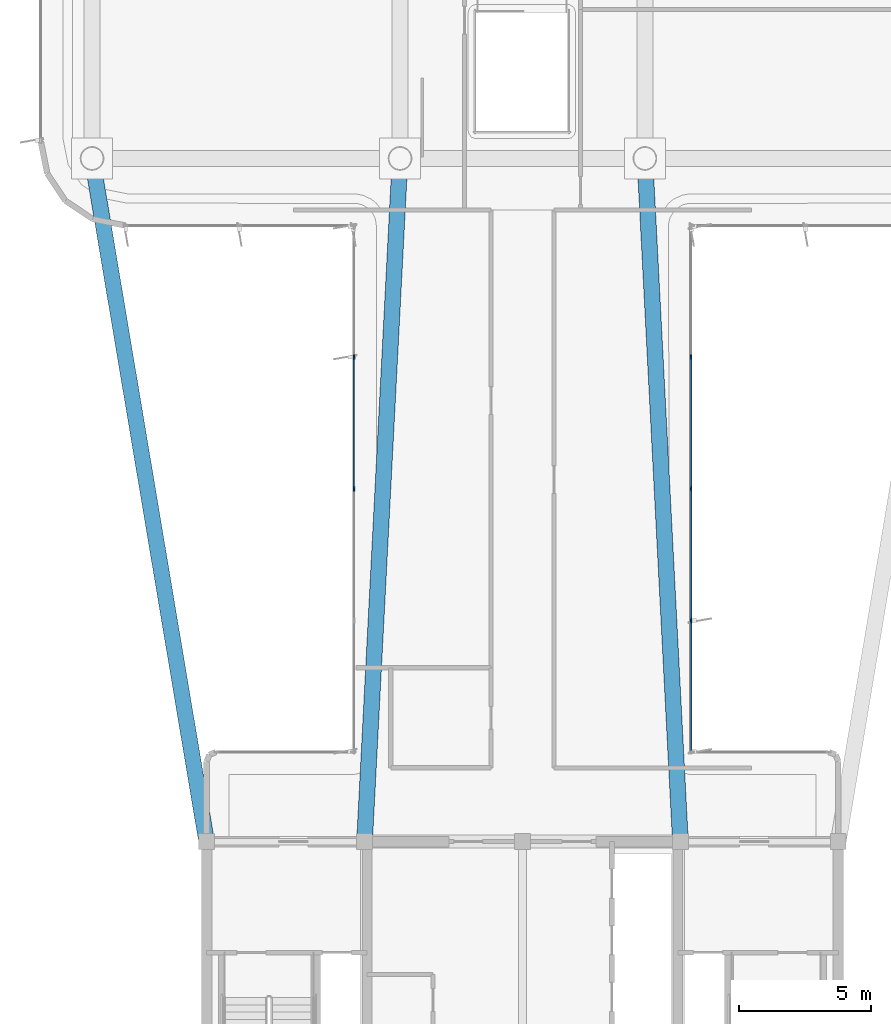
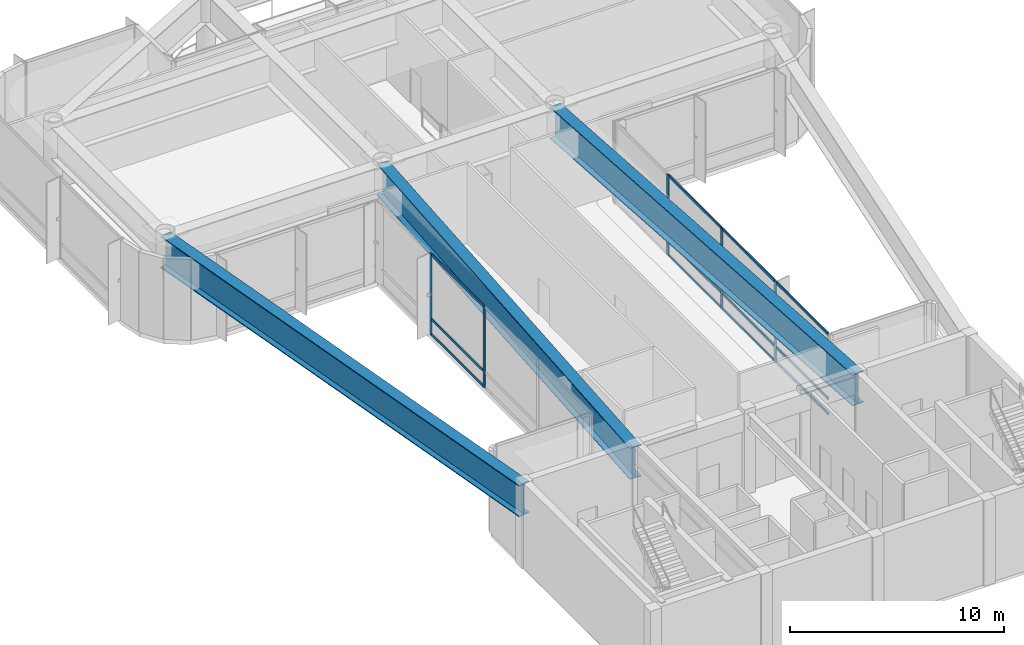
# One storey, part 3 of 13: 17 members, 3 beams, 2 elements without a shape of their own.
"""IFC4 building model written with IfcOpenShell, lengths in metres."""

from ifc_helpers import new_model, si_unit, direction, frame, origin, origin_2d, place, context, subcontext, project, spatial, rectangle, i_section, extrude, source, transform, mapped, material, layer, layer_set, material_profile, profile_set, type_object, element, aggregate, save


model = new_model("IFC4")

# Units and contexts
model_context = context("Model", 3, precision=1e-05, world=origin(), true_north=direction((0.0, 1.0)))
body_context = subcontext(model_context, "Body", "Model", "MODEL_VIEW")
ifc_project = project(units=[si_unit("LENGTHUNIT", "METRE"), si_unit("AREAUNIT", "SQUARE_METRE"), si_unit("VOLUMEUNIT", "CUBIC_METRE"), si_unit("PLANEANGLEUNIT", "RADIAN"), si_unit("MASSUNIT", "GRAM", prefix="KILO")], contexts=[model_context])

# Site, building, storey
site_placement = place(None, origin())
site = spatial("IfcSite", under=ifc_project, at=site_placement, CompositionType="ELEMENT")
building_placement = place(site_placement, origin())
building = spatial("IfcBuilding", under=site, at=building_placement, Name="Brelvock Crest Care Tower", CompositionType="ELEMENT")
storey_placement = place(building_placement, frame((0.0, 0.0, 291.06005859375)))
storey = spatial("IfcBuildingStorey", under=building, at=storey_placement, Name="L74", CompositionType="ELEMENT", Elevation=291.06005859375)

# Beams
ifc_material_1 = material(Name="Steel Grade 350", Category="steel")
ifc_material_profile_1 = material_profile(ifc_material_1, i_section(OverallWidth=0.60009765625, OverallDepth=1.800048828125, WebThickness=0.028076171875, FlangeThickness=0.052001953125, at=origin_2d()), Name="1800TG740")
ifc_profile_set_1 = profile_set([ifc_material_profile_1], Name="Steel Grade 350")
beam_type = type_object("IfcBeamType", Name="BM-TG1", PredefinedType="USERDEFINED", material=ifc_profile_set_1)
shared_shape_1 = source(origin(), body_context, "Body", "SweptSolid", [
    extrude(i_section(OverallWidth=0.60009765625, OverallDepth=1.800048828125, WebThickness=0.028076171875, FlangeThickness=0.052001953125, at=origin_2d()), origin(), (0.0, 0.0, 1.0), 25.985107421875),
])
for number, where, z_axis, x_axis, name in (
    (1, (30.0, 18.0, 3.7099609375), (0.051956711656, 0.998649337913, 0.0), (-0.998649337913, 0.051956711656, 0.0), "BM-THRW-L74"),
    (2, (42.0, 18.0, 3.7099609375), (-0.051956711656, 0.998649337913, 0.0), (-0.998649337913, -0.051956711656, 0.0), "BM-THRE-L74"),
):
    element("IfcBeam", number, at=place(storey_placement, frame(where, z_axis=z_axis, x_axis=x_axis)), inside=storey, type_object=beam_type, Name=name, ObjectType="GIRDER", PredefinedType="USERDEFINED", context=body_context, shape_type="MappedRepresentation", body=[
        mapped(shared_shape_1, transform((0.0, 0.0, 0.0), x_axis=(1.0, 0.0, 0.0), y_axis=(0.0, 1.0, 0.0), z_axis=(0.0, 0.0, 1.0), scale=1.0)),
    ])
shared_shape_2 = source(origin(), body_context, "Body", "SweptSolid", [
    extrude(i_section(OverallWidth=0.60009765625, OverallDepth=1.800048828125, WebThickness=0.028076171875, FlangeThickness=0.052001953125, at=origin_2d()), origin(), (0.0, 0.0, 1.0), 26.31201171875),
])
beam_placement = place(storey_placement, frame((24.0, 18.0, 3.7099609375), z_axis=(-0.165327282709, 0.986238758918, 0.0), x_axis=(-0.986238758918, -0.165327282709, 0.0)))
element("IfcBeam", 3, at=beam_placement, inside=storey, type_object=beam_type, Name="BM-THRO-W-L74", ObjectType="GIRDER", PredefinedType="USERDEFINED", context=body_context, shape_type="MappedRepresentation", body=[
    mapped(shared_shape_2, transform((0.0, 0.0, 0.0), x_axis=(1.0, 0.0, 0.0), y_axis=(0.0, 1.0, 0.0), z_axis=(0.0, 0.0, 1.0), scale=1.0)),
])

# Curtain wall, members
ifc_material_2 = material(Name="Dark Glass Double Glazed Low-E", Category="glass")
ifc_layer = layer(ifc_material_2, 0.2548828125, Name="CWS-6")
ifc_layer_set = layer_set([ifc_layer], Name="Dark Glass Double Glazed Low-E")
curtain_wall_type = type_object("IfcCurtainWallType", Name="CWS-6", PredefinedType="NOTDEFINED", material=ifc_layer_set)
curtain_wall_1_placement = place(storey_placement, origin())
curtain_wall_1 = element("IfcCurtainWall", 4, at=curtain_wall_1_placement, inside=storey, type_object=curtain_wall_type, Name="L74 Curtain Wall E10", PredefinedType="NOTDEFINED")
ifc_material_3 = material(Name="Aluminium 6063-T6", Category="aluminium")
ifc_material_profile_2 = material_profile(ifc_material_3, rectangle(XDim=0.06494140625, YDim=0.14990234375, at=origin_2d()), Name="ALU65x150")
ifc_profile_set_2 = profile_set([ifc_material_profile_2], Name="Aluminium 6063-T6")
member_type_1 = type_object("IfcMemberType", Name="CWT-1", PredefinedType="USERDEFINED", material=ifc_profile_set_2)
shared_shape_3 = source(origin(), body_context, "Body", "SweptSolid", [
    extrude(rectangle(XDim=0.06494140625, YDim=0.14990234375, at=origin_2d()), origin(), (0.0, 0.0, 1.0), 4.90234375),
])
member_1_placement = place(storey_placement, frame((42.39990234375, 26.367431640625, 0.032470703125), z_axis=(0.0, -1.0, 0.0), x_axis=(1.0, 0.0, 0.0)))
member_1 = element("IfcMember", 5, at=member_1_placement, type_object=member_type_1, Name="CW-6 transom 4.1", ObjectType="TRANSOM", PredefinedType="USERDEFINED", context=body_context, shape_type="MappedRepresentation", body=[
    mapped(shared_shape_3, transform((0.0, 0.0, 0.0), x_axis=(1.0, 0.0, 0.0), y_axis=(0.0, 1.0, 0.0), z_axis=(0.0, 0.0, 1.0), scale=1.0)),
])
member_2_placement = place(storey_placement, frame((42.39990234375, 26.367431640625, 0.89990234375), z_axis=(0.0, -1.0, 0.0), x_axis=(1.0, 0.0, 0.0)))
member_2 = element("IfcMember", 6, at=member_2_placement, type_object=member_type_1, Name="CW-6 transom 4.2", ObjectType="TRANSOM", PredefinedType="USERDEFINED", context=body_context, shape_type="MappedRepresentation", body=[
    mapped(shared_shape_3, transform((0.0, 0.0, 0.0), x_axis=(1.0, 0.0, 0.0), y_axis=(0.0, 1.0, 0.0), z_axis=(0.0, 0.0, 1.0), scale=1.0)),
])
member_3_placement = place(storey_placement, frame((42.39990234375, 26.367431640625, 4.577392578125), z_axis=(0.0, -1.0, 0.0), x_axis=(1.0, 0.0, 0.0)))
member_3 = element("IfcMember", 7, at=member_3_placement, type_object=member_type_1, Name="CW-6 transom 4.3", ObjectType="TRANSOM", PredefinedType="USERDEFINED", context=body_context, shape_type="MappedRepresentation", body=[
    mapped(shared_shape_3, transform((0.0, 0.0, 0.0), x_axis=(1.0, 0.0, 0.0), y_axis=(0.0, 1.0, 0.0), z_axis=(0.0, 0.0, 1.0), scale=1.0)),
])
shared_shape_4 = source(origin(), body_context, "Body", "SweptSolid", [
    extrude(rectangle(XDim=0.06494140625, YDim=0.14990234375, at=origin_2d()), origin(), (0.0, 0.0, 1.0), 4.934814453125),
])
member_4_placement = place(storey_placement, frame((42.39990234375, 36.367431640625, 0.032470703125), z_axis=(0.0, -1.0, 0.0), x_axis=(1.0, 0.0, 0.0)))
member_4 = element("IfcMember", 8, at=member_4_placement, type_object=member_type_1, Name="CW-6 transom 2.1", ObjectType="TRANSOM", PredefinedType="USERDEFINED", context=body_context, shape_type="MappedRepresentation", body=[
    mapped(shared_shape_4, transform((0.0, 0.0, 0.0), x_axis=(1.0, 0.0, 0.0), y_axis=(0.0, 1.0, 0.0), z_axis=(0.0, 0.0, 1.0), scale=1.0)),
])
member_5_placement = place(storey_placement, frame((42.39990234375, 36.367431640625, 0.89990234375), z_axis=(0.0, -1.0, 0.0), x_axis=(1.0, 0.0, 0.0)))
member_5 = element("IfcMember", 9, at=member_5_placement, type_object=member_type_1, Name="CW-6 transom 2.2", ObjectType="TRANSOM", PredefinedType="USERDEFINED", context=body_context, shape_type="MappedRepresentation", body=[
    mapped(shared_shape_4, transform((0.0, 0.0, 0.0), x_axis=(1.0, 0.0, 0.0), y_axis=(0.0, 1.0, 0.0), z_axis=(0.0, 0.0, 1.0), scale=1.0)),
])
member_6_placement = place(storey_placement, frame((42.39990234375, 36.367431640625, 4.577392578125), z_axis=(0.0, -1.0, 0.0), x_axis=(1.0, 0.0, 0.0)))
member_6 = element("IfcMember", 10, at=member_6_placement, type_object=member_type_1, Name="CW-6 transom 2.3", ObjectType="TRANSOM", PredefinedType="USERDEFINED", context=body_context, shape_type="MappedRepresentation", body=[
    mapped(shared_shape_4, transform((0.0, 0.0, 0.0), x_axis=(1.0, 0.0, 0.0), y_axis=(0.0, 1.0, 0.0), z_axis=(0.0, 0.0, 1.0), scale=1.0)),
])
member_7_placement = place(storey_placement, frame((42.39990234375, 31.367431640625, 0.032470703125), z_axis=(0.0, -1.0, 0.0), x_axis=(1.0, 0.0, 0.0)))
member_7 = element("IfcMember", 11, at=member_7_placement, type_object=member_type_1, Name="CW-6 transom 3.1", ObjectType="TRANSOM", PredefinedType="USERDEFINED", context=body_context, shape_type="MappedRepresentation", body=[
    mapped(shared_shape_4, transform((0.0, 0.0, 0.0), x_axis=(1.0, 0.0, 0.0), y_axis=(0.0, 1.0, 0.0), z_axis=(0.0, 0.0, 1.0), scale=1.0)),
])
member_8_placement = place(storey_placement, frame((42.39990234375, 31.367431640625, 0.89990234375), z_axis=(0.0, -1.0, 0.0), x_axis=(1.0, 0.0, 0.0)))
member_8 = element("IfcMember", 12, at=member_8_placement, type_object=member_type_1, Name="CW-6 transom 3.2", ObjectType="TRANSOM", PredefinedType="USERDEFINED", context=body_context, shape_type="MappedRepresentation", body=[
    mapped(shared_shape_4, transform((0.0, 0.0, 0.0), x_axis=(1.0, 0.0, 0.0), y_axis=(0.0, 1.0, 0.0), z_axis=(0.0, 0.0, 1.0), scale=1.0)),
])
member_9_placement = place(storey_placement, frame((42.39990234375, 31.367431640625, 4.577392578125), z_axis=(0.0, -1.0, 0.0), x_axis=(1.0, 0.0, 0.0)))
member_9 = element("IfcMember", 13, at=member_9_placement, type_object=member_type_1, Name="CW-6 transom 3.3", ObjectType="TRANSOM", PredefinedType="USERDEFINED", context=body_context, shape_type="MappedRepresentation", body=[
    mapped(shared_shape_4, transform((0.0, 0.0, 0.0), x_axis=(1.0, 0.0, 0.0), y_axis=(0.0, 1.0, 0.0), z_axis=(0.0, 0.0, 1.0), scale=1.0)),
])

curtain_wall_2_placement = place(storey_placement, origin())
curtain_wall_2 = element("IfcCurtainWall", 14, at=curtain_wall_2_placement, inside=storey, type_object=curtain_wall_type, Name="L74 Curtain Wall E24", PredefinedType="NOTDEFINED")
member_10_placement = place(storey_placement, frame((29.60009765625, 31.4326171875, 0.032470703125), z_axis=(0.0, 1.0, 0.0), x_axis=(-1.0, 0.0, 0.0)))
member_10 = element("IfcMember", 15, at=member_10_placement, type_object=member_type_1, Name="CW-6 transom 3.1", ObjectType="TRANSOM", PredefinedType="USERDEFINED", context=body_context, shape_type="MappedRepresentation", body=[
    mapped(shared_shape_4, transform((0.0, 0.0, 0.0), x_axis=(1.0, 0.0, 0.0), y_axis=(0.0, 1.0, 0.0), z_axis=(0.0, 0.0, 1.0), scale=1.0)),
])
member_11_placement = place(storey_placement, frame((29.60009765625, 31.4326171875, 0.89990234375), z_axis=(0.0, 1.0, 0.0), x_axis=(-1.0, 0.0, 0.0)))
member_11 = element("IfcMember", 16, at=member_11_placement, type_object=member_type_1, Name="CW-6 transom 3.2", ObjectType="TRANSOM", PredefinedType="USERDEFINED", context=body_context, shape_type="MappedRepresentation", body=[
    mapped(shared_shape_4, transform((0.0, 0.0, 0.0), x_axis=(1.0, 0.0, 0.0), y_axis=(0.0, 1.0, 0.0), z_axis=(0.0, 0.0, 1.0), scale=1.0)),
])
member_12_placement = place(storey_placement, frame((29.60009765625, 31.4326171875, 4.577392578125), z_axis=(0.0, 1.0, 0.0), x_axis=(-1.0, 0.0, 0.0)))
member_12 = element("IfcMember", 17, at=member_12_placement, type_object=member_type_1, Name="CW-6 transom 3.3", ObjectType="TRANSOM", PredefinedType="USERDEFINED", context=body_context, shape_type="MappedRepresentation", body=[
    mapped(shared_shape_4, transform((0.0, 0.0, 0.0), x_axis=(1.0, 0.0, 0.0), y_axis=(0.0, 1.0, 0.0), z_axis=(0.0, 0.0, 1.0), scale=1.0)),
])

# Member
ifc_material_profile_3 = material_profile(ifc_material_3, rectangle(XDim=0.06494140625, YDim=0.199951171875, at=origin_2d()), Name="ALU65x200")
ifc_profile_set_3 = profile_set([ifc_material_profile_3], Name="Aluminium 6063-T6")
member_type_2 = type_object("IfcMemberType", Name="CWM-1", PredefinedType="MULLION", material=ifc_profile_set_3)
shared_shape_5 = source(origin(), body_context, "Body", "SweptSolid", [
    extrude(rectangle(XDim=0.06494140625, YDim=0.199951171875, at=origin_2d()), origin(), (0.0, 0.0, 1.0), 4.60986328125),
])
member_13_placement = place(storey_placement, frame((42.39990234375, 36.39990234375, 0.0), z_axis=(0.0, 0.0, 1.0), x_axis=(1.0, 0.0, 0.0)))
member_13 = element("IfcMember", 18, at=member_13_placement, type_object=member_type_2, Name="CW-6 mullion 2", PredefinedType="MULLION", context=body_context, shape_type="MappedRepresentation", body=[
    mapped(shared_shape_5, transform((0.0, 0.0, 0.0), x_axis=(1.0, 0.0, 0.0), y_axis=(0.0, 1.0, 0.0), z_axis=(0.0, 0.0, 1.0), scale=1.0)),
])

member_14_placement = place(storey_placement, frame((42.39990234375, 31.39990234375, 0.0), z_axis=(0.0, 0.0, 1.0), x_axis=(1.0, 0.0, 0.0)))
member_14 = element("IfcMember", 19, at=member_14_placement, type_object=member_type_2, Name="CW-6 mullion 3", PredefinedType="MULLION", context=body_context, shape_type="MappedRepresentation", body=[
    mapped(shared_shape_5, transform((0.0, 0.0, 0.0), x_axis=(1.0, 0.0, 0.0), y_axis=(0.0, 1.0, 0.0), z_axis=(0.0, 0.0, 1.0), scale=1.0)),
])

member_15_placement = place(storey_placement, frame((42.39990234375, 26.39990234375, 0.0), z_axis=(0.0, 0.0, 1.0), x_axis=(1.0, 0.0, 0.0)))
member_15 = element("IfcMember", 20, at=member_15_placement, type_object=member_type_2, Name="CW-6 mullion 4", PredefinedType="MULLION", context=body_context, shape_type="MappedRepresentation", body=[
    mapped(shared_shape_5, transform((0.0, 0.0, 0.0), x_axis=(1.0, 0.0, 0.0), y_axis=(0.0, 1.0, 0.0), z_axis=(0.0, 0.0, 1.0), scale=1.0)),
])

aggregate(curtain_wall_1, [member_13, member_14, member_15, member_4, member_5, member_6, member_7, member_8, member_9, member_1, member_2, member_3])

member_16_placement = place(storey_placement, frame((29.60009765625, 31.39990234375, 0.0), z_axis=(0.0, 0.0, 1.0), x_axis=(-1.0, 0.0, 0.0)))
member_16 = element("IfcMember", 21, at=member_16_placement, type_object=member_type_2, Name="CW-6 mullion 3", PredefinedType="MULLION", context=body_context, shape_type="MappedRepresentation", body=[
    mapped(shared_shape_5, transform((0.0, 0.0, 0.0), x_axis=(1.0, 0.0, 0.0), y_axis=(0.0, 1.0, 0.0), z_axis=(0.0, 0.0, 1.0), scale=1.0)),
])

member_17_placement = place(storey_placement, frame((29.60009765625, 36.39990234375, 0.0), z_axis=(0.0, 0.0, 1.0), x_axis=(-1.0, 0.0, 0.0)))
member_17 = element("IfcMember", 22, at=member_17_placement, type_object=member_type_2, Name="CW-6 mullion 4", PredefinedType="MULLION", context=body_context, shape_type="MappedRepresentation", body=[
    mapped(shared_shape_5, transform((0.0, 0.0, 0.0), x_axis=(1.0, 0.0, 0.0), y_axis=(0.0, 1.0, 0.0), z_axis=(0.0, 0.0, 1.0), scale=1.0)),
])

aggregate(curtain_wall_2, [member_16, member_17, member_10, member_11, member_12])

save(model, "model.ifc")
